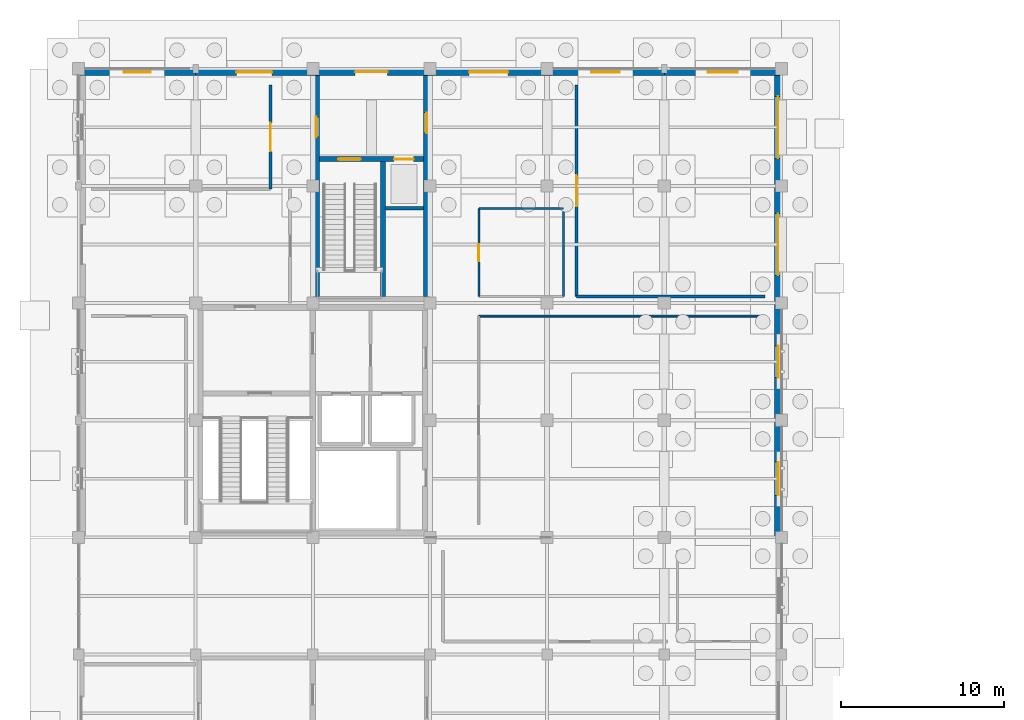
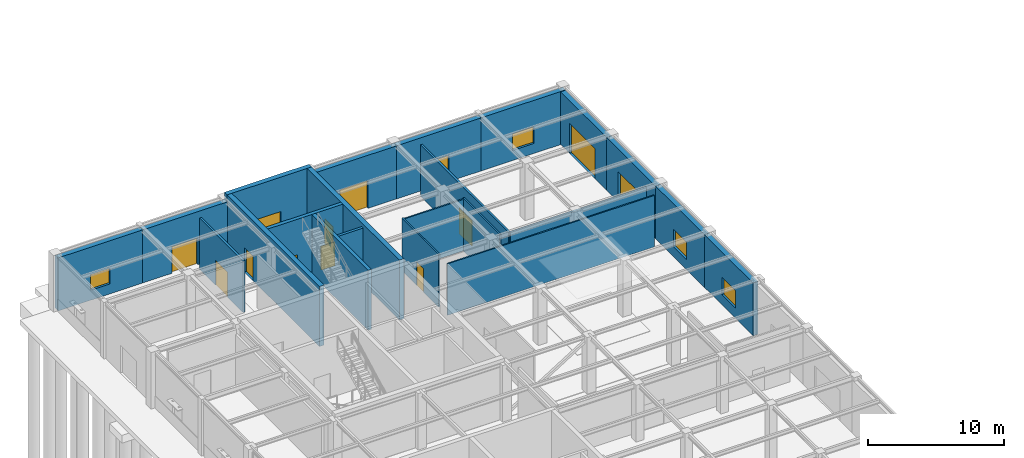
# One storey, part 61 of 75: 22 walls, 12 doors, 5 windows, 17 openings.
"""IFC4 building model written with IfcOpenShell, lengths in metres."""

from ifc_helpers import new_model, si_unit, direction, frame, frame_2d, origin, place, context, subcontext, project, spatial, rectangle, extrude, material, layer, layer_set, type_object, element, fill, save


model = new_model("IFC4")

# Units and contexts
model_context = context("Model", 3, precision=1e-05, world=origin(), true_north=direction((0.0, 1.0)))
body_context = subcontext(model_context, "Body", "Model", "MODEL_VIEW")
ifc_project = project(units=[si_unit("LENGTHUNIT", "METRE"), si_unit("AREAUNIT", "SQUARE_METRE"), si_unit("VOLUMEUNIT", "CUBIC_METRE"), si_unit("PLANEANGLEUNIT", "RADIAN"), si_unit("MASSUNIT", "GRAM", prefix="KILO")], contexts=[model_context])

# Site, building, storey
site_placement = place(None, origin())
site = spatial("IfcSite", under=ifc_project, at=site_placement, CompositionType="ELEMENT")
building_placement = place(site_placement, origin())
building = spatial("IfcBuilding", under=site, at=building_placement, Name="Leyfeld Transit Interchange", CompositionType="ELEMENT")
storey_placement = place(building_placement, origin())
storey = spatial("IfcBuildingStorey", under=building, at=storey_placement, Name="L00", CompositionType="ELEMENT", Elevation=0.0)

# Wall, opening, window
ifc_material_1 = material(Name="Clinker brick masonry - Insulated", Category="masonry")
ifc_layer_1 = layer(ifc_material_1, 0.419921875, Name="Clinker brick masonry - Insulated")
ifc_layer_set_1 = layer_set([ifc_layer_1], Name="Clinker brick masonry - Insulated")
wall_type_1 = type_object("IfcWallType", Name="WL-EXT-BRK-420", PredefinedType="SOLIDWALL", material=ifc_layer_set_1)
wall_1_placement = place(storey_placement, frame((0.0, 122.18994140625, 0.0), z_axis=(0.0, 0.0, 1.0), x_axis=(1.0, 0.0, 0.0)))
wall_1 = element("IfcWall", 1, at=wall_1_placement, inside=storey, type_object=wall_type_1, Name="External Facade Wall EW-L00-009", PredefinedType="SOLIDWALL", context=body_context, shape_type="SweptSolid", body=[
    extrude(rectangle(XDim=7.199951171875, YDim=0.419921875, at=frame_2d((3.60009765625, 0.0))), origin(), (0.0, 0.0, 1.0), 4.780029296875),
])
opening_1_placement = place(wall_1_placement, frame((2.77490234375, 0.0, 0.89990234375)))
opening_1 = element("IfcOpeningElement", 2, at=opening_1_placement, cuts=wall_1, Name="Opening WU-05", PredefinedType="OPENING", context=body_context, shape_type="SweptSolid", body=[
    extrude(rectangle(XDim=1.64990234375, YDim=1.39990234375, at=frame_2d((0.824951171875, 0.699951171875))), frame((0.0, 0.219970703125, 0.0), z_axis=(0.0, -1.0, 0.0), x_axis=(1.0, 0.0, 0.0)), (0.0, 0.0, 1.0), 0.43994140625),
])
ifc_material_2 = material(Name="Triple low-E insulated glazing", Category="glass")
window_type_1 = type_object("IfcWindowType", Name="WIN-UNQ-05", PartitioningType="SINGLE_PANEL", PredefinedType="WINDOW", material=ifc_material_2)
window_1_placement = place(opening_1_placement, origin())
window_1 = element("IfcWindow", 3, at=window_1_placement, inside=storey, type_object=window_type_1, Name="Facade Window L00 005", OverallHeight=1.39990234375, OverallWidth=1.64990234375, PartitioningType="SINGLE_PANEL", PredefinedType="WINDOW", context=body_context, shape_type="SweptSolid", body=[
    extrude(rectangle(XDim=1.64990234375, YDim=1.39990234375, at=frame_2d((0.824951171875, 0.699951171875))), frame((0.0, 0.030029296875, 0.0), z_axis=(0.0, -1.0, 0.0), x_axis=(1.0, 0.0, 0.0)), (0.0, 0.0, 1.0), 0.06005859375),
])
fill(opening_1, window_1)

# Wall, opening, door
wall_2_placement = place(storey_placement, frame((7.199951171875, 122.18994140625, 0.0), z_axis=(0.0, 0.0, 1.0), x_axis=(1.0, 0.0, 0.0)))
wall_2 = element("IfcWall", 4, at=wall_2_placement, inside=storey, type_object=wall_type_1, Name="External Facade Wall EW-L00-010", PredefinedType="SOLIDWALL", context=body_context, shape_type="SweptSolid", body=[
    extrude(rectangle(XDim=7.199951171875, YDim=0.419921875, at=frame_2d((3.60009765625, 0.0))), origin(), (0.0, 0.0, 1.0), 4.780029296875),
])
opening_2_placement = place(wall_2_placement, frame((2.5, 0.0, 0.0)))
opening_2 = element("IfcOpeningElement", 5, at=opening_2_placement, cuts=wall_2, Name="Opening DE-02", PredefinedType="OPENING", context=body_context, shape_type="SweptSolid", body=[
    extrude(rectangle(XDim=2.199951171875, YDim=2.39990234375, at=frame_2d((1.10009765625, 1.199951171875))), frame((0.0, 0.219970703125, 0.0), z_axis=(0.0, -1.0, 0.0), x_axis=(1.0, 0.0, 0.0)), (0.0, 0.0, 1.0), 0.43994140625),
])
ifc_material_3 = material(Name="Anodised aluminium EN AW-6060 T66", Category="aluminium")
door_type_1 = type_object("IfcDoorType", Name="DR-EXT-DBL-2200x2400", OperationType="NOTDEFINED", PredefinedType="DOOR", material=ifc_material_3)
door_1_placement = place(opening_2_placement, origin())
door_1 = element("IfcDoor", 6, at=door_1_placement, inside=storey, type_object=door_type_1, Name="DR-EXT-L00-004", OperationType="DOUBLE_DOOR_SINGLE_SWING", OverallHeight=2.39990234375, OverallWidth=2.199951171875, PredefinedType="DOOR", context=body_context, shape_type="SweptSolid", body=[
    extrude(rectangle(XDim=2.199951171875, YDim=2.39990234375, at=frame_2d((1.10009765625, 1.199951171875))), frame((0.0, 0.02490234375, 0.0), z_axis=(0.0, -1.0, 0.0), x_axis=(1.0, 0.0, 0.0)), (0.0, 0.0, 1.0), 0.050048828125),
])
fill(opening_2, door_1)

wall_3_placement = place(storey_placement, frame((21.60009765625, 122.18994140625, 0.0), z_axis=(0.0, 0.0, 1.0), x_axis=(1.0, 0.0, 0.0)))
wall_3 = element("IfcWall", 7, at=wall_3_placement, inside=storey, type_object=wall_type_1, Name="External Facade Wall EW-L00-011", PredefinedType="SOLIDWALL", context=body_context, shape_type="SweptSolid", body=[
    extrude(rectangle(XDim=7.199951171875, YDim=0.419921875, at=frame_2d((3.60009765625, 0.0))), origin(), (0.0, 0.0, 1.0), 4.780029296875),
])
opening_3_placement = place(wall_3_placement, frame((2.39990234375, 0.0, 0.0)))
opening_3 = element("IfcOpeningElement", 8, at=opening_3_placement, cuts=wall_3, Name="Opening DE-01", PredefinedType="OPENING", context=body_context, shape_type="SweptSolid", body=[
    extrude(rectangle(XDim=2.39990234375, YDim=2.5, at=frame_2d((1.199951171875, 1.25))), frame((0.0, 0.219970703125, 0.0), z_axis=(0.0, -1.0, 0.0), x_axis=(1.0, 0.0, 0.0)), (0.0, 0.0, 1.0), 0.43994140625),
])
door_type_2 = type_object("IfcDoorType", Name="DR-EXT-DBL-2400x2500", OperationType="NOTDEFINED", PredefinedType="DOOR", material=ifc_material_3)
door_2_placement = place(opening_3_placement, origin())
door_2 = element("IfcDoor", 9, at=door_2_placement, inside=storey, type_object=door_type_2, Name="DR-EXT-L00-006", OperationType="DOUBLE_DOOR_SINGLE_SWING", OverallHeight=2.5, OverallWidth=2.39990234375, PredefinedType="DOOR", context=body_context, shape_type="SweptSolid", body=[
    extrude(rectangle(XDim=2.39990234375, YDim=2.5, at=frame_2d((1.199951171875, 1.25))), frame((0.0, 0.02490234375, 0.0), z_axis=(0.0, -1.0, 0.0), x_axis=(1.0, 0.0, 0.0)), (0.0, 0.0, 1.0), 0.050048828125),
])
fill(opening_3, door_2)

# Wall, opening, window
wall_4_placement = place(storey_placement, frame((28.800048828125, 122.18994140625, 0.0), z_axis=(0.0, 0.0, 1.0), x_axis=(1.0, 0.0, 0.0)))
wall_4 = element("IfcWall", 10, at=wall_4_placement, inside=storey, type_object=wall_type_1, Name="External Facade Wall EW-L00-012", PredefinedType="SOLIDWALL", context=body_context, shape_type="SweptSolid", body=[
    extrude(rectangle(XDim=7.199951171875, YDim=0.419921875, at=frame_2d((3.60009765625, 0.0))), origin(), (0.0, 0.0, 1.0), 4.780029296875),
])
opening_4_placement = place(wall_4_placement, frame((2.72509765625, 0.0, 0.89990234375)))
opening_4 = element("IfcOpeningElement", 11, at=opening_4_placement, cuts=wall_4, Name="Opening WU-06", PredefinedType="OPENING", context=body_context, shape_type="SweptSolid", body=[
    extrude(rectangle(XDim=1.75, YDim=1.449951171875, at=frame_2d((0.875, 0.72509765625))), frame((0.0, 0.219970703125, 0.0), z_axis=(0.0, -1.0, 0.0), x_axis=(1.0, 0.0, 0.0)), (0.0, 0.0, 1.0), 0.43994140625),
])
window_type_2 = type_object("IfcWindowType", Name="WIN-UNQ-06", PartitioningType="SINGLE_PANEL", PredefinedType="WINDOW", material=ifc_material_2)
window_2_placement = place(opening_4_placement, origin())
window_2 = element("IfcWindow", 12, at=window_2_placement, inside=storey, type_object=window_type_2, Name="Facade Window L00 006", OverallHeight=1.449951171875, OverallWidth=1.75, PartitioningType="SINGLE_PANEL", PredefinedType="WINDOW", context=body_context, shape_type="SweptSolid", body=[
    extrude(rectangle(XDim=1.75, YDim=1.449951171875, at=frame_2d((0.875, 0.72509765625))), frame((0.0, 0.030029296875, 0.0), z_axis=(0.0, -1.0, 0.0), x_axis=(1.0, 0.0, 0.0)), (0.0, 0.0, 1.0), 0.06005859375),
])
fill(opening_4, window_2)

wall_5_placement = place(storey_placement, frame((36.0, 122.18994140625, 0.0), z_axis=(0.0, 0.0, 1.0), x_axis=(1.0, 0.0, 0.0)))
wall_5 = element("IfcWall", 13, at=wall_5_placement, inside=storey, type_object=wall_type_1, Name="External Facade Wall EW-L00-013", PredefinedType="SOLIDWALL", context=body_context, shape_type="SweptSolid", body=[
    extrude(rectangle(XDim=7.199951171875, YDim=0.419921875, at=frame_2d((3.60009765625, 0.0))), origin(), (0.0, 0.0, 1.0), 4.780029296875),
])
opening_5_placement = place(wall_5_placement, frame((2.675048828125, 0.0, 0.89990234375)))
opening_5 = element("IfcOpeningElement", 14, at=opening_5_placement, cuts=wall_5, Name="Opening WU-07", PredefinedType="OPENING", context=body_context, shape_type="SweptSolid", body=[
    extrude(rectangle(XDim=1.85009765625, YDim=1.5, at=frame_2d((0.925048828125, 0.75))), frame((0.0, 0.219970703125, 0.0), z_axis=(0.0, -1.0, 0.0), x_axis=(1.0, 0.0, 0.0)), (0.0, 0.0, 1.0), 0.43994140625),
])
window_type_3 = type_object("IfcWindowType", Name="WIN-UNQ-07", PartitioningType="SINGLE_PANEL", PredefinedType="WINDOW", material=ifc_material_2)
window_3_placement = place(opening_5_placement, origin())
window_3 = element("IfcWindow", 15, at=window_3_placement, inside=storey, type_object=window_type_3, Name="Facade Window L00 007", OverallHeight=1.5, OverallWidth=1.85009765625, PartitioningType="SINGLE_PANEL", PredefinedType="WINDOW", context=body_context, shape_type="SweptSolid", body=[
    extrude(rectangle(XDim=1.85009765625, YDim=1.5, at=frame_2d((0.925048828125, 0.75))), frame((0.0, 0.030029296875, 0.0), z_axis=(0.0, -1.0, 0.0), x_axis=(1.0, 0.0, 0.0)), (0.0, 0.0, 1.0), 0.06005859375),
])
fill(opening_5, window_3)

# Wall, opening, door
wall_6_placement = place(storey_placement, frame((42.989990234375, 122.39990234375, 0.0), z_axis=(0.0, 0.0, 1.0), x_axis=(0.0, -1.0, 0.0)))
wall_6 = element("IfcWall", 16, at=wall_6_placement, inside=storey, type_object=wall_type_1, Name="External Facade Wall EW-L00-014", PredefinedType="SOLIDWALL", context=body_context, shape_type="SweptSolid", body=[
    extrude(rectangle(XDim=7.199951171875, YDim=0.419921875, at=frame_2d((3.60009765625, 0.0))), origin(), (0.0, 0.0, 1.0), 4.75),
])
opening_6_placement = place(wall_6_placement, frame((1.699951171875, 0.0, 0.0)))
opening_6 = element("IfcOpeningElement", 17, at=opening_6_placement, cuts=wall_6, Name="Opening GT-01", PredefinedType="OPENING", context=body_context, shape_type="SweptSolid", body=[
    extrude(rectangle(XDim=3.800048828125, YDim=2.699951171875, at=frame_2d((1.89990234375, 1.35009765625))), frame((0.0, 0.219970703125, 0.0), z_axis=(0.0, -1.0, 0.0), x_axis=(1.0, 0.0, 0.0)), (0.0, 0.0, 1.0), 0.43994140625),
])
ifc_material_4 = material(Name="Galvanised steel S275JR", Category="steel")
door_type_3 = type_object("IfcDoorType", Name="GT-CYC-3800x2700", OperationType="NOTDEFINED", PredefinedType="GATE", material=ifc_material_4)
door_3_placement = place(opening_6_placement, origin())
door_3 = element("IfcDoor", 18, at=door_3_placement, inside=storey, type_object=door_type_3, Name="GT-L00-01", OperationType="ROLLINGUP", OverallHeight=2.699951171875, OverallWidth=3.800048828125, PredefinedType="GATE", context=body_context, shape_type="SweptSolid", body=[
    extrude(rectangle(XDim=3.800048828125, YDim=2.699951171875, at=frame_2d((1.89990234375, 1.35009765625))), frame((0.0, 0.02490234375, 0.0), z_axis=(0.0, -1.0, 0.0), x_axis=(1.0, 0.0, 0.0)), (0.0, 0.0, 1.0), 0.050048828125),
])
fill(opening_6, door_3)

wall_7_placement = place(storey_placement, frame((42.989990234375, 115.199951171875, 0.0), z_axis=(0.0, 0.0, 1.0), x_axis=(0.0, -1.0, 0.0)))
wall_7 = element("IfcWall", 19, at=wall_7_placement, inside=storey, type_object=wall_type_1, Name="External Facade Wall EW-L00-015", PredefinedType="SOLIDWALL", context=body_context, shape_type="SweptSolid", body=[
    extrude(rectangle(XDim=7.199951171875, YDim=0.419921875, at=frame_2d((3.60009765625, 0.0))), origin(), (0.0, 0.0, 1.0), 4.75),
])
opening_7_placement = place(wall_7_placement, frame((1.699951171875, 0.0, 0.0)))
opening_7 = element("IfcOpeningElement", 20, at=opening_7_placement, cuts=wall_7, Name="Opening GT-01", PredefinedType="OPENING", context=body_context, shape_type="SweptSolid", body=[
    extrude(rectangle(XDim=3.800048828125, YDim=2.699951171875, at=frame_2d((1.89990234375, 1.35009765625))), frame((0.0, 0.219970703125, 0.0), z_axis=(0.0, -1.0, 0.0), x_axis=(1.0, 0.0, 0.0)), (0.0, 0.0, 1.0), 0.43994140625),
])
door_4_placement = place(opening_7_placement, origin())
door_4 = element("IfcDoor", 21, at=door_4_placement, inside=storey, type_object=door_type_3, Name="GT-L00-02", OperationType="ROLLINGUP", OverallHeight=2.699951171875, OverallWidth=3.800048828125, PredefinedType="GATE", context=body_context, shape_type="SweptSolid", body=[
    extrude(rectangle(XDim=3.800048828125, YDim=2.699951171875, at=frame_2d((1.89990234375, 1.35009765625))), frame((0.0, 0.02490234375, 0.0), z_axis=(0.0, -1.0, 0.0), x_axis=(1.0, 0.0, 0.0)), (0.0, 0.0, 1.0), 0.050048828125),
])
fill(opening_7, door_4)

# Wall, opening, window
wall_8_placement = place(storey_placement, frame((42.989990234375, 108.0, 0.0), z_axis=(0.0, 0.0, 1.0), x_axis=(0.0, -1.0, 0.0)))
wall_8 = element("IfcWall", 22, at=wall_8_placement, inside=storey, type_object=wall_type_1, Name="External Facade Wall EW-L00-016", PredefinedType="SOLIDWALL", context=body_context, shape_type="SweptSolid", body=[
    extrude(rectangle(XDim=7.199951171875, YDim=0.419921875, at=frame_2d((3.60009765625, 0.0))), origin(), (0.0, 0.0, 1.0), 4.75),
])
opening_8_placement = place(wall_8_placement, frame((2.625, 0.0, 0.89990234375)))
opening_8 = element("IfcOpeningElement", 23, at=opening_8_placement, cuts=wall_8, Name="Opening WU-08", PredefinedType="OPENING", context=body_context, shape_type="SweptSolid", body=[
    extrude(rectangle(XDim=1.949951171875, YDim=1.550048828125, at=frame_2d((0.97509765625, 0.77490234375))), frame((0.0, 0.219970703125, 0.0), z_axis=(0.0, -1.0, 0.0), x_axis=(1.0, 0.0, 0.0)), (0.0, 0.0, 1.0), 0.43994140625),
])
window_type_4 = type_object("IfcWindowType", Name="WIN-UNQ-08", PartitioningType="SINGLE_PANEL", PredefinedType="WINDOW", material=ifc_material_2)
window_4_placement = place(opening_8_placement, origin())
window_4 = element("IfcWindow", 24, at=window_4_placement, inside=storey, type_object=window_type_4, Name="Facade Window L00 008", OverallHeight=1.550048828125, OverallWidth=1.949951171875, PartitioningType="SINGLE_PANEL", PredefinedType="WINDOW", context=body_context, shape_type="SweptSolid", body=[
    extrude(rectangle(XDim=1.949951171875, YDim=1.550048828125, at=frame_2d((0.97509765625, 0.77490234375))), frame((0.0, 0.030029296875, 0.0), z_axis=(0.0, -1.0, 0.0), x_axis=(1.0, 0.0, 0.0)), (0.0, 0.0, 1.0), 0.06005859375),
])
fill(opening_8, window_4)

wall_9_placement = place(storey_placement, frame((42.989990234375, 100.800048828125, 0.0), z_axis=(0.0, 0.0, 1.0), x_axis=(0.0, -1.0, 0.0)))
wall_9 = element("IfcWall", 25, at=wall_9_placement, inside=storey, type_object=wall_type_1, Name="External Facade Wall EW-L00-017", PredefinedType="SOLIDWALL", context=body_context, shape_type="SweptSolid", body=[
    extrude(rectangle(XDim=7.199951171875, YDim=0.419921875, at=frame_2d((3.60009765625, 0.0))), origin(), (0.0, 0.0, 1.0), 4.75),
])
opening_9_placement = place(wall_9_placement, frame((2.574951171875, 0.0, 0.89990234375)))
opening_9 = element("IfcOpeningElement", 26, at=opening_9_placement, cuts=wall_9, Name="Opening WU-09", PredefinedType="OPENING", context=body_context, shape_type="SweptSolid", body=[
    extrude(rectangle(XDim=2.050048828125, YDim=1.60009765625, at=frame_2d((1.02490234375, 0.800048828125))), frame((0.0, 0.219970703125, 0.0), z_axis=(0.0, -1.0, 0.0), x_axis=(1.0, 0.0, 0.0)), (0.0, 0.0, 1.0), 0.43994140625),
])
window_type_5 = type_object("IfcWindowType", Name="WIN-UNQ-09", PartitioningType="SINGLE_PANEL", PredefinedType="WINDOW", material=ifc_material_2)
window_5_placement = place(opening_9_placement, origin())
window_5 = element("IfcWindow", 27, at=window_5_placement, inside=storey, type_object=window_type_5, Name="Facade Window L00 009", OverallHeight=1.60009765625, OverallWidth=2.050048828125, PartitioningType="SINGLE_PANEL", PredefinedType="WINDOW", context=body_context, shape_type="SweptSolid", body=[
    extrude(rectangle(XDim=2.050048828125, YDim=1.60009765625, at=frame_2d((1.02490234375, 0.800048828125))), frame((0.0, 0.030029296875, 0.0), z_axis=(0.0, -1.0, 0.0), x_axis=(1.0, 0.0, 0.0)), (0.0, 0.0, 1.0), 0.06005859375),
])
fill(opening_9, window_5)

# Wall, opening, door
ifc_material_5 = material(Name="Calcium silicate masonry", Category="masonry")
ifc_layer_2 = layer(ifc_material_5, 0.175048828125, Name="Calcium silicate masonry")
ifc_layer_set_2 = layer_set([ifc_layer_2], Name="Calcium silicate masonry")
wall_type_2 = type_object("IfcWallType", Name="WL-INT-COR-175", PredefinedType="PARTITIONING", material=ifc_layer_set_2)
wall_10_placement = place(storey_placement, frame((11.800048828125, 121.39990234375, 0.0), z_axis=(0.0, 0.0, 1.0), x_axis=(0.0, -1.0, 0.0)))
wall_10 = element("IfcWall", 28, at=wall_10_placement, inside=storey, type_object=wall_type_2, Name="Interior Partition L00-MED-01 E", PredefinedType="PARTITIONING", context=body_context, shape_type="SweptSolid", body=[
    extrude(rectangle(XDim=6.39990234375, YDim=0.175048828125, at=frame_2d((3.199951171875, 0.0))), origin(), (0.0, 0.0, 1.0), 4.6298828125),
])
opening_10_placement = place(wall_10_placement, frame((2.324951171875, 0.0, 0.0)))
opening_10 = element("IfcOpeningElement", 29, at=opening_10_placement, cuts=wall_10, Name="Opening DV-08", PredefinedType="OPENING", context=body_context, shape_type="SweptSolid", body=[
    extrude(rectangle(XDim=1.75, YDim=2.25, at=frame_2d((0.875, 1.125))), frame((0.0, 0.097412109375, 0.0), z_axis=(0.0, -1.0, 0.0), x_axis=(1.0, 0.0, 0.0)), (0.0, 0.0, 1.0), 0.195068359375),
])
ifc_material_6 = material(Name="Austrian larch glulam GL28h", Category="wood")
door_type_4 = type_object("IfcDoorType", Name="DR-VAR-08", OperationType="NOTDEFINED", PredefinedType="DOOR", material=ifc_material_6)
door_5_placement = place(opening_10_placement, origin())
door_5 = element("IfcDoor", 30, at=door_5_placement, inside=storey, type_object=door_type_4, Name="DR-L00-MED-01", OperationType="DOUBLE_DOOR_SINGLE_SWING", OverallHeight=2.25, OverallWidth=1.75, PredefinedType="DOOR", context=body_context, shape_type="SweptSolid", body=[
    extrude(rectangle(XDim=1.75, YDim=2.25, at=frame_2d((0.875, 1.125))), frame((0.0, 0.02490234375, 0.0), z_axis=(0.0, -1.0, 0.0), x_axis=(1.0, 0.0, 0.0)), (0.0, 0.0, 1.0), 0.050048828125),
])
fill(opening_10, door_5)

# Wall
wall_11_placement = place(storey_placement, frame((42.199951171875, 108.39990234375, 0.0), z_axis=(0.0, 0.0, 1.0), x_axis=(-1.0, 0.0, 0.0)))
element("IfcWall", 31, at=wall_11_placement, inside=storey, type_object=wall_type_2, Name="Interior Partition L00-DEL-01 S", PredefinedType="PARTITIONING", context=body_context, shape_type="SweptSolid", body=[
    extrude(rectangle(XDim=11.599853515625, YDim=0.175048828125, at=frame_2d((5.7998046875, 0.0))), origin(), (0.0, 0.0, 1.0), 4.6298828125),
])

# Wall, opening, door
wall_12_placement = place(storey_placement, frame((30.60009765625, 108.39990234375, 0.0), z_axis=(0.0, 0.0, 1.0), x_axis=(0.0, 1.0, 0.0)))
wall_12 = element("IfcWall", 32, at=wall_12_placement, inside=storey, type_object=wall_type_2, Name="Interior Partition L00-DEL-01 W", PredefinedType="PARTITIONING", context=body_context, shape_type="SweptSolid", body=[
    extrude(rectangle(XDim=13.0, YDim=0.175048828125, at=frame_2d((6.5, 0.0))), origin(), (0.0, 0.0, 1.0), 4.6298828125),
])
opening_11_placement = place(wall_12_placement, frame((5.550048828125, 0.0, 0.0)))
opening_11 = element("IfcOpeningElement", 33, at=opening_11_placement, cuts=wall_12, Name="Opening DV-09", PredefinedType="OPENING", context=body_context, shape_type="SweptSolid", body=[
    extrude(rectangle(XDim=1.89990234375, YDim=2.300048828125, at=frame_2d((0.949951171875, 1.14990234375))), frame((0.0, 0.097412109375, 0.0), z_axis=(0.0, -1.0, 0.0), x_axis=(1.0, 0.0, 0.0)), (0.0, 0.0, 1.0), 0.195068359375),
])
door_type_5 = type_object("IfcDoorType", Name="DR-VAR-09", OperationType="NOTDEFINED", PredefinedType="DOOR", material=ifc_material_6)
door_6_placement = place(opening_11_placement, origin())
door_6 = element("IfcDoor", 34, at=door_6_placement, inside=storey, type_object=door_type_5, Name="DR-L00-DEL-01", OperationType="DOUBLE_DOOR_SINGLE_SWING", OverallHeight=2.300048828125, OverallWidth=1.89990234375, PredefinedType="DOOR", context=body_context, shape_type="SweptSolid", body=[
    extrude(rectangle(XDim=1.89990234375, YDim=2.300048828125, at=frame_2d((0.949951171875, 1.14990234375))), frame((0.0, 0.02490234375, 0.0), z_axis=(0.0, -1.0, 0.0), x_axis=(1.0, 0.0, 0.0)), (0.0, 0.0, 1.0), 0.050048828125),
])
fill(opening_11, door_6)

# Walls
ifc_material_7 = material(Name="Gypsum plasterboard acoustic stud", Category="gypsum")
ifc_layer_3 = layer(ifc_material_7, 0.114990234375, Name="Gypsum plasterboard acoustic stud")
ifc_layer_set_3 = layer_set([ifc_layer_3], Name="Gypsum plasterboard acoustic stud")
wall_type_3 = type_object("IfcWallType", Name="WL-INT-OFF-115", PredefinedType="PARTITIONING", material=ifc_layer_set_3)
wall_13_placement = place(storey_placement, frame((24.60009765625, 107.199951171875, 0.0), z_axis=(0.0, 0.0, 1.0), x_axis=(1.0, 0.0, 0.0)))
element("IfcWall", 35, at=wall_13_placement, inside=storey, type_object=wall_type_3, Name="Interior Partition L00-DRV-01 N", PredefinedType="PARTITIONING", context=body_context, shape_type="SweptSolid", body=[
    extrude(rectangle(XDim=17.599853515625, YDim=0.114990234375, at=frame_2d((8.7998046875, 0.0))), origin(), (0.0, 0.0, 1.0), 4.6298828125),
])
ifc_material_8 = material(Name="Concrete C35/45", Category="concrete")
ifc_layer_4 = layer(ifc_material_8, 0.219970703125, Name="Concrete C35/45")
ifc_layer_set_4 = layer_set([ifc_layer_4], Name="Concrete C35/45")
wall_type_4 = type_object("IfcWallType", Name="WL-INT-SHF-220", PredefinedType="PARTITIONING", material=ifc_layer_set_4)
wall_14_placement = place(storey_placement, frame((18.840087890625, 113.840087890625, 0.0), z_axis=(0.0, 0.0, 1.0), x_axis=(1.0, 0.0, 0.0)))
element("IfcWall", 36, at=wall_14_placement, inside=storey, type_object=wall_type_4, Name="Core K2 Lift PL-2 Shaft Back Wall L00", PredefinedType="PARTITIONING", context=body_context, shape_type="SweptSolid", body=[
    extrude(rectangle(XDim=2.35986328125, YDim=0.219970703125, at=frame_2d((1.179931640625, 0.0))), origin(), (0.0, 0.0, 1.0), 5.050048828125),
])
ifc_material_9 = material(Name="Autoclaved aerated blockwork G4", Category="masonry")
ifc_layer_5 = layer(ifc_material_9, 0.125, Name="Autoclaved aerated blockwork G4")
ifc_layer_set_5 = layer_set([ifc_layer_5], Name="Autoclaved aerated blockwork G4")
wall_type_5 = type_object("IfcWallType", Name="WL-INT-WC-125", PredefinedType="PARTITIONING", material=ifc_layer_set_5)
wall_15_placement = place(storey_placement, frame((24.60009765625, 113.800048828125, 0.0), z_axis=(0.0, 0.0, 1.0), x_axis=(1.0, 0.0, 0.0)))
element("IfcWall", 37, at=wall_15_placement, inside=storey, type_object=wall_type_5, Name="Interior Partition L00-WCA-04 N", PredefinedType="PARTITIONING", context=body_context, shape_type="SweptSolid", body=[
    extrude(rectangle(XDim=5.199951171875, YDim=0.125, at=frame_2d((2.60009765625, 0.0))), origin(), (0.0, 0.0, 1.0), 4.6298828125),
])
wall_16_placement = place(storey_placement, frame((29.800048828125, 113.800048828125, 0.0), z_axis=(0.0, 0.0, 1.0), x_axis=(0.0, -1.0, 0.0)))
element("IfcWall", 38, at=wall_16_placement, inside=storey, type_object=wall_type_5, Name="Interior Partition L00-WCA-04 E", PredefinedType="PARTITIONING", context=body_context, shape_type="SweptSolid", body=[
    extrude(rectangle(XDim=5.400146484375, YDim=0.125, at=frame_2d((2.7001953125, 0.0))), origin(), (0.0, 0.0, 1.0), 4.75),
])

# Wall, opening, door
wall_17_placement = place(storey_placement, frame((24.60009765625, 108.39990234375, 0.0), z_axis=(0.0, 0.0, 1.0), x_axis=(0.0, 1.0, 0.0)))
wall_17 = element("IfcWall", 39, at=wall_17_placement, inside=storey, type_object=wall_type_5, Name="Interior Partition L00-WCA-04 W", PredefinedType="PARTITIONING", context=body_context, shape_type="SweptSolid", body=[
    extrude(rectangle(XDim=5.400146484375, YDim=0.125, at=frame_2d((2.7001953125, 0.0))), origin(), (0.0, 0.0, 1.0), 4.75),
])
opening_12_placement = place(wall_17_placement, frame((2.175048828125, 0.0, 0.0)))
opening_12 = element("IfcOpeningElement", 40, at=opening_12_placement, cuts=wall_17, Name="Opening DI-09", PredefinedType="OPENING", context=body_context, shape_type="SweptSolid", body=[
    extrude(rectangle(XDim=1.050048828125, YDim=2.10009765625, at=frame_2d((0.52490234375, 1.050048828125))), frame((0.0, 0.072509765625, 0.0), z_axis=(0.0, -1.0, 0.0), x_axis=(1.0, 0.0, 0.0)), (0.0, 0.0, 1.0), 0.14501953125),
])
door_type_6 = type_object("IfcDoorType", Name="DR-WCA-1050x2100", OperationType="NOTDEFINED", PredefinedType="DOOR", material=ifc_material_6)
door_7_placement = place(opening_12_placement, origin())
door_7 = element("IfcDoor", 41, at=door_7_placement, inside=storey, type_object=door_type_6, Name="DR-L00-WCA-04", OperationType="SINGLE_SWING_RIGHT", OverallHeight=2.10009765625, OverallWidth=1.050048828125, PredefinedType="DOOR", context=body_context, shape_type="SweptSolid", body=[
    extrude(rectangle(XDim=1.050048828125, YDim=2.10009765625, at=frame_2d((0.52490234375, 1.050048828125))), frame((0.0, 0.02490234375, 0.0), z_axis=(0.0, -1.0, 0.0), x_axis=(1.0, 0.0, 0.0)), (0.0, 0.0, 1.0), 0.050048828125),
])
fill(opening_12, door_7)

# Wall
ifc_layer_6 = layer(ifc_material_8, 0.300048828125, Name="Concrete C35/45")
ifc_layer_set_6 = layer_set([ifc_layer_6], Name="Concrete C35/45")
wall_type_6 = type_object("IfcWallType", Name="WL-SH-300", PredefinedType="SHEAR", material=ifc_layer_set_6)
wall_18_placement = place(storey_placement, frame((18.699951171875, 116.699951171875, 0.0), z_axis=(0.0, 0.0, 1.0), x_axis=(0.0, -1.0, 0.0)))
element("IfcWall", 42, at=wall_18_placement, inside=storey, type_object=wall_type_6, Name="Core K2 Shear Wall SMID L00", PredefinedType="SHEAR", context=body_context, shape_type="SweptSolid", body=[
    extrude(rectangle(XDim=8.300048828125, YDim=0.300048828125, at=frame_2d((4.14990234375, 0.0))), origin(), (0.0, 0.0, 1.0), 5.39990234375),
])

# Wall, openings, doors
wall_19_placement = place(storey_placement, frame((14.800048828125, 116.85009765625, 0.0), z_axis=(0.0, 0.0, 1.0), x_axis=(1.0, 0.0, 0.0)))
wall_19 = element("IfcWall", 43, at=wall_19_placement, inside=storey, type_object=wall_type_6, Name="Core K2 Shear Wall STRN L00", PredefinedType="SHEAR", context=body_context, shape_type="SweptSolid", body=[
    extrude(rectangle(XDim=6.39990234375, YDim=0.300048828125, at=frame_2d((3.199951171875, 0.0))), origin(), (0.0, 0.0, 1.0), 5.39990234375),
])
opening_13_placement = place(wall_19_placement, frame((1.14990234375, 0.0, 0.0)))
opening_13 = element("IfcOpeningElement", 44, at=opening_13_placement, cuts=wall_19, Name="Opening DI-01", PredefinedType="OPENING", context=body_context, shape_type="SweptSolid", body=[
    extrude(rectangle(XDim=1.39990234375, YDim=2.199951171875, at=frame_2d((0.699951171875, 1.10009765625))), frame((0.0, 0.159912109375, 0.0), z_axis=(0.0, -1.0, 0.0), x_axis=(1.0, 0.0, 0.0)), (0.0, 0.0, 1.0), 0.320068359375),
])
opening_14_placement = place(wall_19_placement, frame((4.60009765625, 0.0, 0.0)))
opening_14 = element("IfcOpeningElement", 45, at=opening_14_placement, cuts=wall_19, Name="Opening LD-02", PredefinedType="OPENING", context=body_context, shape_type="SweptSolid", body=[
    extrude(rectangle(XDim=1.199951171875, YDim=2.14990234375, at=frame_2d((0.60009765625, 1.074951171875))), frame((0.0, 0.159912109375, 0.0), z_axis=(0.0, -1.0, 0.0), x_axis=(1.0, 0.0, 0.0)), (0.0, 0.0, 1.0), 0.320068359375),
])
ifc_material_10 = material(Name="Stainless steel EN 1.4404", Category="steel")
door_type_7 = type_object("IfcDoorType", Name="DR-LD-PAS-1200x2150", OperationType="NOTDEFINED", PredefinedType="DOOR", material=ifc_material_10)
door_8_placement = place(opening_14_placement, origin())
door_8 = element("IfcDoor", 46, at=door_8_placement, inside=storey, type_object=door_type_7, Name="LD-PL-2-L00", OperationType="DOUBLE_DOOR_SLIDING", OverallHeight=2.14990234375, OverallWidth=1.199951171875, PredefinedType="DOOR", context=body_context, shape_type="SweptSolid", body=[
    extrude(rectangle(XDim=1.199951171875, YDim=2.14990234375, at=frame_2d((0.60009765625, 1.074951171875))), frame((0.0, 0.02490234375, 0.0), z_axis=(0.0, -1.0, 0.0), x_axis=(1.0, 0.0, 0.0)), (0.0, 0.0, 1.0), 0.050048828125),
])
fill(opening_14, door_8)
door_type_8 = type_object("IfcDoorType", Name="DR-STR-1400x2200", OperationType="NOTDEFINED", PredefinedType="DOOR", material=ifc_material_4)
door_9_placement = place(opening_13_placement, origin())
door_9 = element("IfcDoor", 47, at=door_9_placement, inside=storey, type_object=door_type_8, Name="DR-STR-INT-K2-L00", OperationType="SINGLE_SWING_LEFT", OverallHeight=2.199951171875, OverallWidth=1.39990234375, PredefinedType="DOOR", context=body_context, shape_type="SweptSolid", body=[
    extrude(rectangle(XDim=1.39990234375, YDim=2.199951171875, at=frame_2d((0.699951171875, 1.10009765625))), frame((0.0, 0.02490234375, 0.0), z_axis=(0.0, -1.0, 0.0), x_axis=(1.0, 0.0, 0.0)), (0.0, 0.0, 1.0), 0.050048828125),
])
fill(opening_13, door_9)

# Wall, opening, door
ifc_layer_7 = layer(ifc_material_8, 0.39990234375, Name="Concrete C35/45")
ifc_layer_set_7 = layer_set([ifc_layer_7], Name="Concrete C35/45")
wall_type_7 = type_object("IfcWallType", Name="WL-SH-400", PredefinedType="SHEAR", material=ifc_layer_set_7)
wall_20_placement = place(storey_placement, frame((14.39990234375, 122.199951171875, 0.0), z_axis=(0.0, 0.0, 1.0), x_axis=(1.0, 0.0, 0.0)))
wall_20 = element("IfcWall", 48, at=wall_20_placement, inside=storey, type_object=wall_type_7, Name="Core K2 Shear Wall N L00", PredefinedType="SHEAR", context=body_context, shape_type="SweptSolid", body=[
    extrude(rectangle(XDim=7.2001953125, YDim=0.39990234375, at=frame_2d((3.60009765625, 0.0))), origin(), (0.0, 0.0, 1.0), 5.39990234375),
])
opening_15_placement = place(wall_20_placement, frame((2.60009765625, 0.0, 0.0)))
opening_15 = element("IfcOpeningElement", 49, at=opening_15_placement, cuts=wall_20, Name="Opening DE-03", PredefinedType="OPENING", context=body_context, shape_type="SweptSolid", body=[
    extrude(rectangle(XDim=2.0, YDim=2.300048828125, at=frame_2d((1.0, 1.14990234375))), frame((0.0, 0.2099609375, 0.0), z_axis=(0.0, -1.0, 0.0), x_axis=(1.0, 0.0, 0.0)), (0.0, 0.0, 1.0), 0.419921875),
])
door_type_9 = type_object("IfcDoorType", Name="DR-EXT-DBL-2000x2300", OperationType="NOTDEFINED", PredefinedType="DOOR", material=ifc_material_3)
door_10_placement = place(opening_15_placement, origin())
door_10 = element("IfcDoor", 50, at=door_10_placement, inside=storey, type_object=door_type_9, Name="DR-EXT-CORE-K2", OperationType="DOUBLE_DOOR_SINGLE_SWING", OverallHeight=2.300048828125, OverallWidth=2.0, PredefinedType="DOOR", context=body_context, shape_type="SweptSolid", body=[
    extrude(rectangle(XDim=2.0, YDim=2.300048828125, at=frame_2d((1.0, 1.14990234375))), frame((0.0, 0.02490234375, 0.0), z_axis=(0.0, -1.0, 0.0), x_axis=(1.0, 0.0, 0.0)), (0.0, 0.0, 1.0), 0.050048828125),
])
fill(opening_15, door_10)

wall_21_placement = place(storey_placement, frame((21.39990234375, 122.0, 0.0), z_axis=(0.0, 0.0, 1.0), x_axis=(0.0, -1.0, 0.0)))
wall_21 = element("IfcWall", 51, at=wall_21_placement, inside=storey, type_object=wall_type_7, Name="Core K2 Shear Wall E L00", PredefinedType="SHEAR", context=body_context, shape_type="SweptSolid", body=[
    extrude(rectangle(XDim=13.60009765625, YDim=0.39990234375, at=frame_2d((6.800048828125, 0.0))), origin(), (0.0, 0.0, 1.0), 5.39990234375),
])
opening_16_placement = place(wall_21_placement, frame((2.300048828125, 0.0, 0.0)))
opening_16 = element("IfcOpeningElement", 52, at=opening_16_placement, cuts=wall_21, Name="Opening DI-02", PredefinedType="OPENING", context=body_context, shape_type="SweptSolid", body=[
    extrude(rectangle(XDim=1.25, YDim=2.199951171875, at=frame_2d((0.625, 1.10009765625))), frame((0.0, 0.2099609375, 0.0), z_axis=(0.0, -1.0, 0.0), x_axis=(1.0, 0.0, 0.0)), (0.0, 0.0, 1.0), 0.419921875),
])
door_type_10 = type_object("IfcDoorType", Name="DR-FFL-1250x2200", OperationType="NOTDEFINED", PredefinedType="DOOR", material=ifc_material_4)
door_11_placement = place(opening_16_placement, origin())
door_11 = element("IfcDoor", 53, at=door_11_placement, inside=storey, type_object=door_type_10, Name="DR-CORE-OUT-K2-L00-E", OperationType="SINGLE_SWING_LEFT", OverallHeight=2.199951171875, OverallWidth=1.25, PredefinedType="DOOR", context=body_context, shape_type="SweptSolid", body=[
    extrude(rectangle(XDim=1.25, YDim=2.199951171875, at=frame_2d((0.625, 1.10009765625))), frame((0.0, 0.02490234375, 0.0), z_axis=(0.0, -1.0, 0.0), x_axis=(1.0, 0.0, 0.0)), (0.0, 0.0, 1.0), 0.050048828125),
])
fill(opening_16, door_11)

wall_22_placement = place(storey_placement, frame((14.60009765625, 108.39990234375, 0.0), z_axis=(0.0, 0.0, 1.0), x_axis=(0.0, 1.0, 0.0)))
wall_22 = element("IfcWall", 54, at=wall_22_placement, inside=storey, type_object=wall_type_7, Name="Core K2 Shear Wall W L00", PredefinedType="SHEAR", context=body_context, shape_type="SweptSolid", body=[
    extrude(rectangle(XDim=13.60009765625, YDim=0.39990234375, at=frame_2d((6.800048828125, 0.0))), origin(), (0.0, 0.0, 1.0), 5.39990234375),
])
opening_17_placement = place(wall_22_placement, frame((9.800048828125, 0.0, 0.0)))
opening_17 = element("IfcOpeningElement", 55, at=opening_17_placement, cuts=wall_22, Name="Opening DI-02", PredefinedType="OPENING", context=body_context, shape_type="SweptSolid", body=[
    extrude(rectangle(XDim=1.25, YDim=2.199951171875, at=frame_2d((0.625, 1.10009765625))), frame((0.0, 0.2099609375, 0.0), z_axis=(0.0, -1.0, 0.0), x_axis=(1.0, 0.0, 0.0)), (0.0, 0.0, 1.0), 0.419921875),
])
door_12_placement = place(opening_17_placement, origin())
door_12 = element("IfcDoor", 56, at=door_12_placement, inside=storey, type_object=door_type_10, Name="DR-CORE-OUT-K2-L00-W", OperationType="SINGLE_SWING_RIGHT", OverallHeight=2.199951171875, OverallWidth=1.25, PredefinedType="DOOR", context=body_context, shape_type="SweptSolid", body=[
    extrude(rectangle(XDim=1.25, YDim=2.199951171875, at=frame_2d((0.625, 1.10009765625))), frame((0.0, 0.02490234375, 0.0), z_axis=(0.0, -1.0, 0.0), x_axis=(1.0, 0.0, 0.0)), (0.0, 0.0, 1.0), 0.050048828125),
])
fill(opening_17, door_12)

save(model, "model.ifc")
